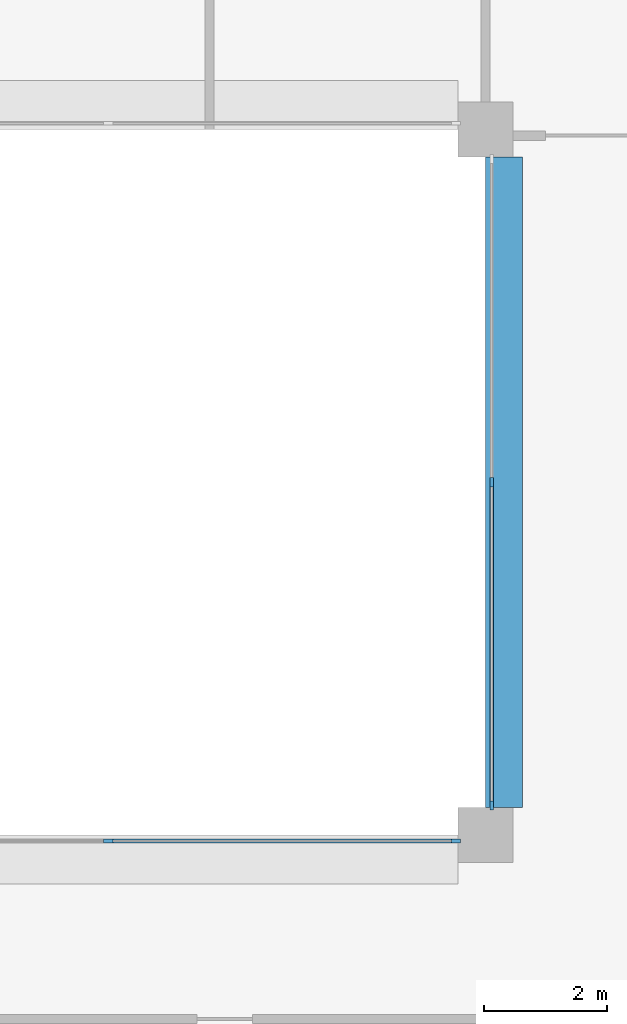
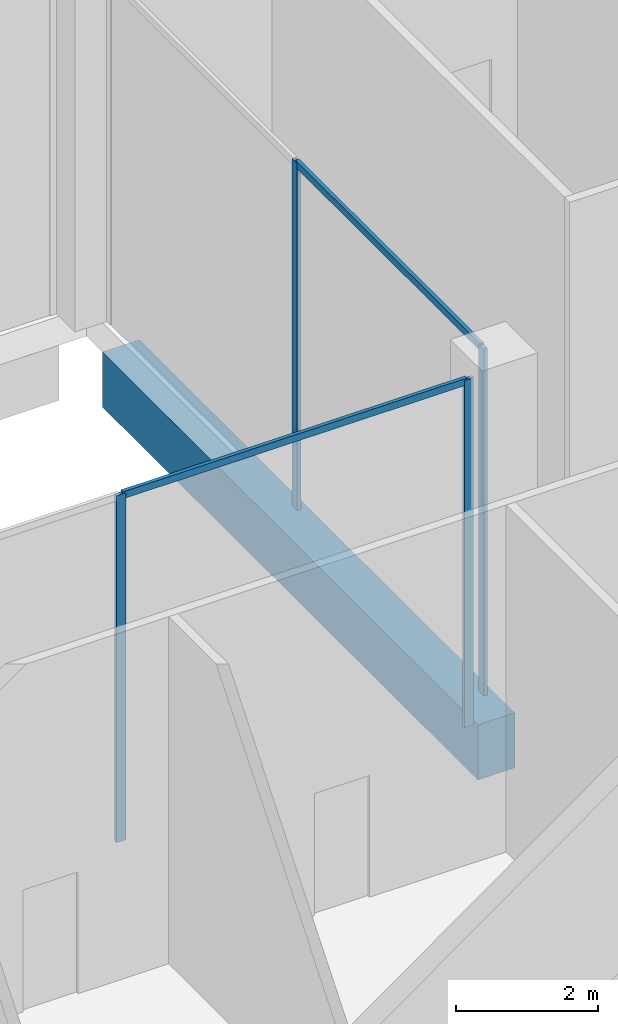
# One storey, part 5 of 18: 6 members, 1 beam, 2 elements without a shape of their own.
"""IFC4 building model written with IfcOpenShell, lengths in metres."""

from ifc_helpers import new_model, si_unit, direction, frame, origin, origin_2d, place, context, subcontext, project, spatial, rectangle, extrude, material, layer, layer_set, material_profile, profile_set, type_object, element, aggregate, save


model = new_model("IFC4")

# Units and contexts
model_context = context("Model", 3, precision=1e-05, world=origin(), true_north=direction((0.0, 1.0)))
body_context = subcontext(model_context, "Body", "Model", "MODEL_VIEW")
ifc_project = project(units=[si_unit("LENGTHUNIT", "METRE"), si_unit("AREAUNIT", "SQUARE_METRE"), si_unit("VOLUMEUNIT", "CUBIC_METRE"), si_unit("PLANEANGLEUNIT", "RADIAN"), si_unit("MASSUNIT", "GRAM", prefix="KILO")], contexts=[model_context])

# Site, building, storey
site_placement = place(None, origin())
site = spatial("IfcSite", under=ifc_project, at=site_placement, CompositionType="ELEMENT")
building_placement = place(site_placement, origin())
building = spatial("IfcBuilding", under=site, at=building_placement, Name="Brigalow Station Residences", CompositionType="ELEMENT")
storey_placement = place(building_placement, frame((0.0, 0.0, 191.699951171875)))
storey = spatial("IfcBuildingStorey", under=building, at=storey_placement, Name="L55", CompositionType="ELEMENT", Elevation=191.699951171875)

# Beam
ifc_material_1 = material(Name="Concrete C65", Category="concrete")
ifc_material_profile_1 = material_profile(ifc_material_1, rectangle(XDim=0.60009765625, YDim=0.949951171875, at=origin_2d()), Name="RC600x950")
ifc_profile_set_1 = profile_set([ifc_material_profile_1], Name="Concrete C65")
beam_type = type_object("IfcBeamType", Name="ATRIUM EDGE GIRDER 600x950 C65", PredefinedType="BEAM", material=ifc_profile_set_1)
beam_placement = place(storey_placement, frame((45.300048828125, 24.449951171875, -0.974853515625), z_axis=(0.0, 1.0, 0.0), x_axis=(-1.0, 0.0, 0.0)))
element("IfcBeam", 1, at=beam_placement, inside=storey, type_object=beam_type, Name="ATRIUM EDGE GIRDER 5 L55", PredefinedType="BEAM", context=body_context, shape_type="SweptSolid", body=[
    extrude(rectangle(XDim=0.60009765625, YDim=0.949951171875, at=origin_2d()), origin(), (0.0, 0.0, 1.0), 10.60009765625),
])

# Curtain wall, members
ifc_material_2 = material(Name="Aluminium", Category="aluminium")
ifc_layer = layer(ifc_material_2, 0.14990234375)
ifc_layer_set = layer_set([ifc_layer], Name="ATRIUM FIRE-RATED GLAZING CURTAIN WALL")
curtain_wall_type = type_object("IfcCurtainWallType", Name="ATRIUM FIRE-RATED GLAZING CURTAIN WALL", PredefinedType="NOTDEFINED", material=ifc_layer_set)
curtain_wall_1_placement = place(storey_placement, origin())
curtain_wall_1 = element("IfcCurtainWall", 2, at=curtain_wall_1_placement, inside=storey, type_object=curtain_wall_type, Name="L55/cw/atrium-S", PredefinedType="NOTDEFINED")
ifc_material_3 = material(Name="Aluminium", Category="aluminium")
ifc_material_profile_2 = material_profile(ifc_material_3, rectangle(XDim=0.06005859375, YDim=0.14990234375, at=origin_2d()), Name="ATRIUM FIRE-RATED GLAZING MULLION 60x150")
ifc_profile_set_2 = profile_set([ifc_material_profile_2], Name="Aluminium")
member_type_1 = type_object("IfcMemberType", Name="ATRIUM FIRE-RATED GLAZING MULLION 60x150", PredefinedType="MULLION", material=ifc_profile_set_2)
member_1_placement = place(storey_placement, frame((38.85009765625, 23.89990234375, 0.0), z_axis=(0.0, 0.0, 1.0), x_axis=(0.0, 1.0, 0.0)))
member_1 = element("IfcMember", 3, at=member_1_placement, type_object=member_type_1, Name="L55/cw/atrium-S/M02", PredefinedType="MULLION", context=body_context, shape_type="SweptSolid", body=[
    extrude(rectangle(XDim=0.06005859375, YDim=0.14990234375, at=origin_2d()), origin(), (0.0, 0.0, 1.0), 5.97998046875),
])
member_2_placement = place(storey_placement, frame((44.52001953125, 23.89990234375, 0.0), z_axis=(0.0, 0.0, 1.0), x_axis=(0.0, 1.0, 0.0)))
member_2 = element("IfcMember", 4, at=member_2_placement, type_object=member_type_1, Name="L55/cw/atrium-S/M03", PredefinedType="MULLION", context=body_context, shape_type="SweptSolid", body=[
    extrude(rectangle(XDim=0.06005859375, YDim=0.14990234375, at=origin_2d()), origin(), (0.0, 0.0, 1.0), 5.97998046875),
])

curtain_wall_2_placement = place(storey_placement, origin())
curtain_wall_2 = element("IfcCurtainWall", 5, at=curtain_wall_2_placement, inside=storey, type_object=curtain_wall_type, Name="L55/cw/atrium-E", PredefinedType="NOTDEFINED")
member_3_placement = place(storey_placement, frame((45.10009765625, 24.47998046875, 0.0), z_axis=(0.0, 0.0, 1.0), x_axis=(-1.0, 0.0, 0.0)))
member_3 = element("IfcMember", 6, at=member_3_placement, type_object=member_type_1, Name="L55/cw/atrium-E/M00", PredefinedType="MULLION", context=body_context, shape_type="SweptSolid", body=[
    extrude(rectangle(XDim=0.06005859375, YDim=0.14990234375, at=origin_2d()), origin(), (0.0, 0.0, 1.0), 5.97998046875),
])
member_4_placement = place(storey_placement, frame((45.10009765625, 29.75, 0.0), z_axis=(0.0, 0.0, 1.0), x_axis=(-1.0, 0.0, 0.0)))
member_4 = element("IfcMember", 7, at=member_4_placement, type_object=member_type_1, Name="L55/cw/atrium-E/M01", PredefinedType="MULLION", context=body_context, shape_type="SweptSolid", body=[
    extrude(rectangle(XDim=0.06005859375, YDim=0.14990234375, at=origin_2d()), origin(), (0.0, 0.0, 1.0), 5.97998046875),
])

# Member
ifc_material_4 = material(Name="Aluminium", Category="aluminium")
ifc_material_profile_3 = material_profile(ifc_material_4, rectangle(XDim=0.06005859375, YDim=0.1201171875, at=origin_2d()), Name="ATRIUM FIRE-RATED GLAZING TRANSOM 60x120")
ifc_profile_set_3 = profile_set([ifc_material_profile_3], Name="Aluminium")
member_type_2 = type_object("IfcMemberType", Name="ATRIUM FIRE-RATED GLAZING TRANSOM 60x120", PredefinedType="USERDEFINED", material=ifc_profile_set_3)
member_5_placement = place(storey_placement, frame((38.8798828125, 23.89990234375, 5.949951171875), z_axis=(1.0, 0.0, 0.0), x_axis=(0.0, 1.0, 0.0)))
member_5 = element("IfcMember", 8, at=member_5_placement, type_object=member_type_2, Name="L55/cw/atrium-S/T02-00", ObjectType="TRANSOM", PredefinedType="USERDEFINED", context=body_context, shape_type="SweptSolid", body=[
    extrude(rectangle(XDim=0.06005859375, YDim=0.1201171875, at=origin_2d()), origin(), (0.0, 0.0, 1.0), 5.610107421875),
])

aggregate(curtain_wall_1, [member_1, member_2, member_5])

member_6_placement = place(storey_placement, frame((45.10009765625, 24.510009765625, 5.949951171875), z_axis=(0.0, 1.0, 0.0), x_axis=(-1.0, 0.0, 0.0)))
member_6 = element("IfcMember", 9, at=member_6_placement, type_object=member_type_2, Name="L55/cw/atrium-E/T00-00", ObjectType="TRANSOM", PredefinedType="USERDEFINED", context=body_context, shape_type="SweptSolid", body=[
    extrude(rectangle(XDim=0.06005859375, YDim=0.1201171875, at=origin_2d()), origin(), (0.0, 0.0, 1.0), 5.2099609375),
])

aggregate(curtain_wall_2, [member_3, member_4, member_6])

save(model, "model.ifc")
